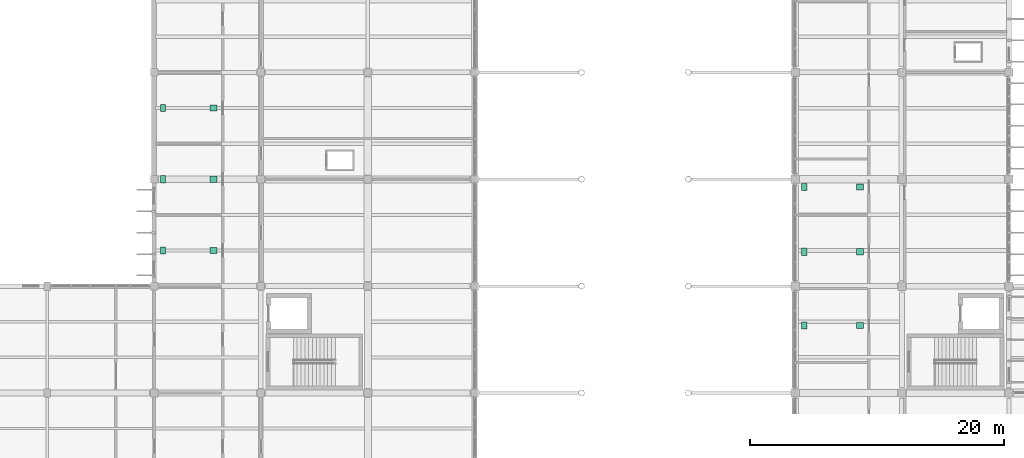
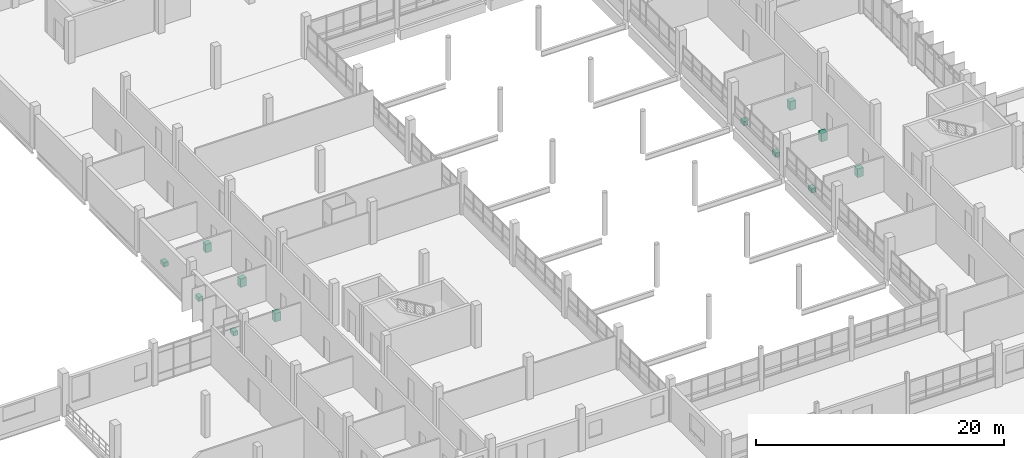
# One storey, part 101 of 101: 12 sanitary terminals.
"""IFC4 building model written with IfcOpenShell, lengths in metres."""

from ifc_helpers import new_model, si_unit, direction, frame, origin, origin_2d, place, context, subcontext, project, spatial, rectangle, extrude, material, type_object, element, save


model = new_model("IFC4")

# Units and contexts
model_context = context("Model", 3, precision=1e-05, world=origin(), true_north=direction((0.0, 1.0)))
body_context = subcontext(model_context, "Body", "Model", "MODEL_VIEW")
ifc_project = project(units=[si_unit("LENGTHUNIT", "METRE"), si_unit("AREAUNIT", "SQUARE_METRE"), si_unit("VOLUMEUNIT", "CUBIC_METRE"), si_unit("PLANEANGLEUNIT", "RADIAN"), si_unit("MASSUNIT", "GRAM", prefix="KILO")], contexts=[model_context])

# Site, building, storey
site_placement = place(None, origin())
site = spatial("IfcSite", under=ifc_project, at=site_placement, CompositionType="ELEMENT")
building_placement = place(site_placement, origin())
building = spatial("IfcBuilding", under=site, at=building_placement, Name="Vireocrest Preparatory School", CompositionType="ELEMENT")
storey_placement = place(building_placement, frame((0.0, 0.0, 4.800048828125)))
storey = spatial("IfcBuildingStorey", under=building, at=storey_placement, Name="L01", CompositionType="ELEMENT", Elevation=4.800048828125)

# Sanitary terminals
ifc_material = material(Name="Vitreous china sanitaryware")
sanitary_terminal_type_1 = type_object("IfcSanitaryTerminalType", Name="Accessible Ceramic Washbasin", PredefinedType="WASHHANDBASIN", material=ifc_material)
for number, where, z_axis, x_axis, name in (
    (1, (46.68994140625, 55.0, 0.0), (0.0, 0.0, 1.0), (1.0, 0.0, 0.0), "Accessible Washbasin L01-W1W05"),
    (2, (46.68994140625, 60.60009765625, 0.0), (0.0, 0.0, 1.0), (1.0, 0.0, 0.0), "Accessible Washbasin L01-W1W06"),
    (3, (46.68994140625, 66.199951171875, 0.0), (0.0, 0.0, 1.0), (1.0, 0.0, 0.0), "Accessible Washbasin L01-W1W07"),
    (4, (97.489990234375, 49.10009765625, 0.0), (0.0, 0.0, 1.0), (1.0, 0.0, 0.0), "Accessible Washbasin L01-E1W05"),
    (5, (97.489990234375, 54.89990234375, 0.0), (0.0, 0.0, 1.0), (1.0, 0.0, 0.0), "Accessible Washbasin L01-E1W06"),
    (6, (97.489990234375, 60.0, 0.0), (0.0, 0.0, 1.0), (1.0, 0.0, 0.0), "Accessible Washbasin L01-E1W07"),
):
    element("IfcSanitaryTerminal", number, at=place(storey_placement, frame(where, z_axis=z_axis, x_axis=x_axis)), inside=storey, type_object=sanitary_terminal_type_1, Name=name, PredefinedType="WASHHANDBASIN", context=body_context, shape_type="SweptSolid", body=[
        extrude(rectangle(XDim=0.550048828125, YDim=0.47998046875, at=origin_2d()), origin(), (0.0, 0.0, 1.0), 0.840087890625),
    ])
sanitary_terminal_type_2 = type_object("IfcSanitaryTerminalType", Name="Wall-Hung Vitreous China WC Pan", PredefinedType="TOILETPAN", material=ifc_material)
for number, where, z_axis, x_axis, name in (
    (7, (42.7099609375, 55.0, 0.0), (0.0, 0.0, 1.0), (1.0, 0.0, 0.0), "WC Pan L01-W1W05"),
    (8, (42.7099609375, 60.60009765625, 0.0), (0.0, 0.0, 1.0), (1.0, 0.0, 0.0), "WC Pan L01-W1W06"),
    (9, (42.7099609375, 66.199951171875, 0.0), (0.0, 0.0, 1.0), (1.0, 0.0, 0.0), "WC Pan L01-W1W07"),
    (10, (93.110107421875, 49.10009765625, 0.0), (0.0, 0.0, 1.0), (1.0, 0.0, 0.0), "WC Pan L01-E1W05"),
    (11, (93.110107421875, 54.89990234375, 0.0), (0.0, 0.0, 1.0), (1.0, 0.0, 0.0), "WC Pan L01-E1W06"),
    (12, (93.110107421875, 60.0, 0.0), (0.0, 0.0, 1.0), (1.0, 0.0, 0.0), "WC Pan L01-E1W07"),
):
    element("IfcSanitaryTerminal", number, at=place(storey_placement, frame(where, z_axis=z_axis, x_axis=x_axis)), inside=storey, type_object=sanitary_terminal_type_2, Name=name, PredefinedType="TOILETPAN", context=body_context, shape_type="SweptSolid", body=[
        extrude(rectangle(XDim=0.39990234375, YDim=0.56005859375, at=origin_2d()), origin(), (0.0, 0.0, 1.0), 0.419921875),
    ])

save(model, "model.ifc")
